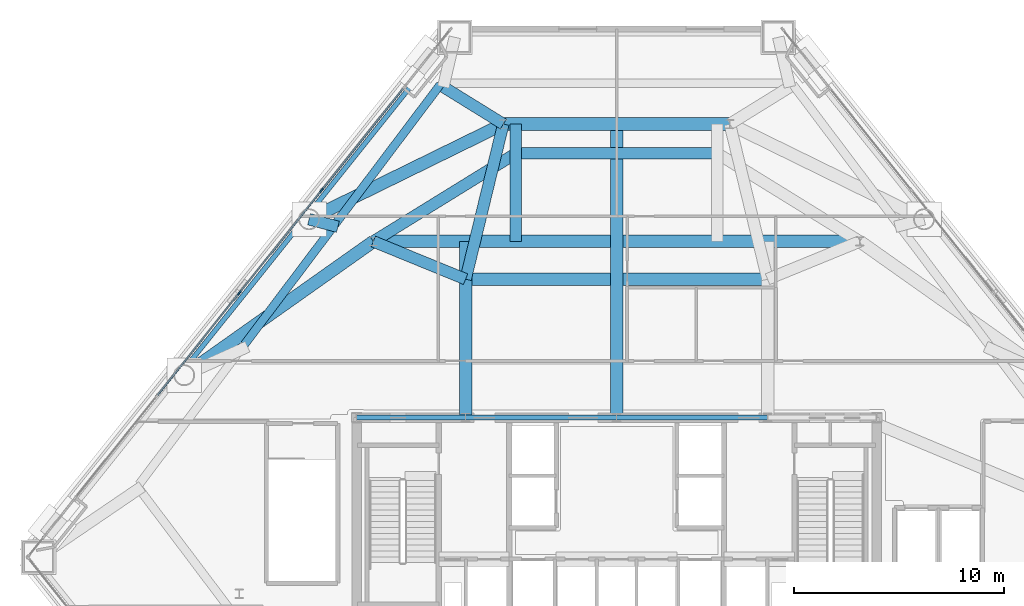
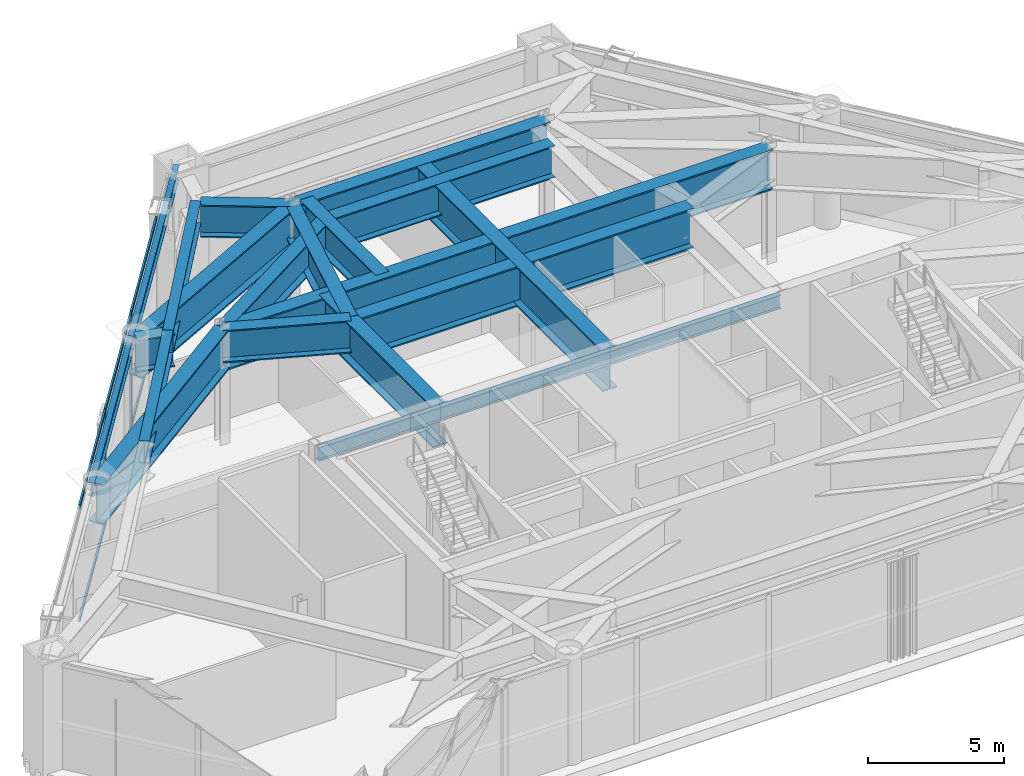
# One storey, part 4 of 13: 21 beams, 8 members, 1 element without a shape of its own.
"""IFC4 building model written with IfcOpenShell, lengths in metres."""

from ifc_helpers import new_model, si_unit, direction, frame, origin, origin_2d, place, context, subcontext, project, spatial, rectangle, i_section, extrude, material, layer, layer_set, material_profile, profile_set, type_object, element, aggregate, save


model = new_model("IFC4")

# Units and contexts
model_context = context("Model", 3, precision=1e-05, world=origin(), true_north=direction((0.0, 1.0)))
body_context = subcontext(model_context, "Body", "Model", "MODEL_VIEW")
ifc_project = project(units=[si_unit("LENGTHUNIT", "METRE"), si_unit("AREAUNIT", "SQUARE_METRE"), si_unit("VOLUMEUNIT", "CUBIC_METRE"), si_unit("PLANEANGLEUNIT", "RADIAN"), si_unit("MASSUNIT", "GRAM", prefix="KILO")], contexts=[model_context])

# Site, building, storey
site_placement = place(None, origin())
site = spatial("IfcSite", under=ifc_project, at=site_placement, CompositionType="ELEMENT")
building_placement = place(site_placement, origin())
building = spatial("IfcBuilding", under=site, at=building_placement, Name="Talgorran Terracotta Tower", CompositionType="ELEMENT")
storey_placement = place(building_placement, frame((0.0, 0.0, 18.89990234375)))
storey = spatial("IfcBuildingStorey", under=building, at=storey_placement, Name="L04", CompositionType="ELEMENT", Elevation=18.89990234375)

# Beams
ifc_material_1 = material(Name="Steel Grade 350 (350L0)", Category="steel")
ifc_material_profile_1 = material_profile(ifc_material_1, i_section(OverallWidth=0.39990234375, OverallDepth=1.0, WebThickness=0.01611328125, FlangeThickness=0.031005859375, at=origin_2d()), Name="1000WB296")
ifc_profile_set_1 = profile_set([ifc_material_profile_1], Name="Steel Grade 350 (350L0)")
beam_type_1 = type_object("IfcBeamType", Name="BM_1000WB296", PredefinedType="BEAM", material=ifc_profile_set_1)
beam_1_placement = place(storey_placement, frame((-8.406982421875, 11.6787109375, 4.650146484375), z_axis=(-0.601803503312, -0.798644190739, 0.0), x_axis=(0.798644190739, -0.601803503312, 0.0)))
element("IfcBeam", 1, at=beam_1_placement, inside=storey, type_object=beam_type_1, Name="L04 Setback Inner Spandrel Girder 10", PredefinedType="BEAM", context=body_context, shape_type="SweptSolid", body=[
    extrude(i_section(OverallWidth=0.39990234375, OverallDepth=1.0, WebThickness=0.01611328125, FlangeThickness=0.031005859375, at=origin_2d()), origin(), (0.0, 0.0, 1.0), 8.353271484375),
])
beam_2_placement = place(storey_placement, frame((-13.43408203125, 5.00732421875, 4.650146484375), z_axis=(-0.601837001902, -0.798618947397, 0.0), x_axis=(0.798618947397, -0.601837001902, 0.0)))
element("IfcBeam", 2, at=beam_2_placement, inside=storey, type_object=beam_type_1, Name="L04 Setback Inner Spandrel Girder 11", PredefinedType="BEAM", context=body_context, shape_type="SweptSolid", body=[
    extrude(i_section(OverallWidth=0.39990234375, OverallDepth=1.0, WebThickness=0.01611328125, FlangeThickness=0.031005859375, at=origin_2d()), origin(), (0.0, 0.0, 1.0), 7.159912109375),
])
ifc_material_2 = material(Name="Steel S355 (300PLUS)", Category="steel")
ifc_material_profile_2 = material_profile(ifc_material_2, i_section(OverallWidth=0.22900390625, OverallDepth=0.611572265625, WebThickness=0.011962890625, FlangeThickness=0.01953125, at=origin_2d()), Name="610UB125")
ifc_profile_set_2 = profile_set([ifc_material_profile_2], Name="Steel S355 (300PLUS)")
beam_type_2 = type_object("IfcBeamType", Name="BM_SP_610UB125", PredefinedType="SPANDREL", material=ifc_profile_set_2)
beam_3_placement = place(storey_placement, frame((-7.854736328125, 14.048583984375, 4.84423828125), z_axis=(-0.625115426811, -0.780532320383, 0.0), x_axis=(0.780532320383, -0.625115426811, 0.0)))
element("IfcBeam", 3, at=beam_3_placement, inside=storey, type_object=beam_type_2, Name="L04 Perimeter Spandrel Beam MC6-FC5", PredefinedType="SPANDREL", context=body_context, shape_type="SweptSolid", body=[
    extrude(i_section(OverallWidth=0.22900390625, OverallDepth=0.611572265625, WebThickness=0.011962890625, FlangeThickness=0.01953125, at=origin_2d()), origin(), (0.0, 0.0, 1.0), 11.1171875),
])
beam_4_placement = place(storey_placement, frame((-14.80419921875, 5.371337890625, 4.84423828125), z_axis=(-0.625101149619, -0.780543754536, 0.0), x_axis=(0.780543754536, -0.625101149619, 0.0)))
element("IfcBeam", 4, at=beam_4_placement, inside=storey, type_object=beam_type_2, Name="L04 Perimeter Spandrel Beam FC5-FC6", PredefinedType="SPANDREL", context=body_context, shape_type="SweptSolid", body=[
    extrude(i_section(OverallWidth=0.22900390625, OverallDepth=0.611572265625, WebThickness=0.011962890625, FlangeThickness=0.01953125, at=origin_2d()), origin(), (0.0, 0.0, 1.0), 9.52880859375),
])
beam_5_placement = place(storey_placement, frame((-12.39990234375, -4.199951171875, 4.84423828125), z_axis=(1.0, 0.0, 0.0), x_axis=(0.0, 1.0, 0.0)))
element("IfcBeam", 5, at=beam_5_placement, inside=storey, type_object=beam_type_2, Name="L04 Core Frame Beam CFN1", PredefinedType="SPANDREL", context=body_context, shape_type="SweptSolid", body=[
    extrude(i_section(OverallWidth=0.22900390625, OverallDepth=0.611572265625, WebThickness=0.011962890625, FlangeThickness=0.01953125, at=origin_2d()), origin(), (0.0, 0.0, 1.0), 5.199951171875),
])
for number, where, z_axis, x_axis, name in (
    (6, (-7.199951171875, -4.199951171875, 4.84423828125), (1.0, 0.0, 0.0), (0.0, 1.0, 0.0), "L04 Core Frame Beam CFN2"),
    (7, (0.0, -4.199951171875, 4.84423828125), (1.0, 0.0, 0.0), (0.0, 1.0, 0.0), "L04 Core Frame Beam CFN3"),
):
    element("IfcBeam", number, at=place(storey_placement, frame(where, z_axis=z_axis, x_axis=x_axis)), inside=storey, type_object=beam_type_2, Name=name, PredefinedType="SPANDREL", context=body_context, shape_type="SweptSolid", body=[
        extrude(i_section(OverallWidth=0.22900390625, OverallDepth=0.611572265625, WebThickness=0.011962890625, FlangeThickness=0.01953125, at=origin_2d()), origin(), (0.0, 0.0, 1.0), 7.199951171875),
    ])
ifc_material_profile_3 = material_profile(ifc_material_1, i_section(OverallWidth=0.550048828125, OverallDepth=1.449951171875, WebThickness=0.031982421875, FlangeThickness=0.054931640625, at=origin_2d()), Name="TG1450X550")
ifc_profile_set_3 = profile_set([ifc_material_profile_3], Name="Steel Grade 350 (350L0)")
beam_type_3 = type_object("IfcBeamType", Name="BM_TG_1450", PredefinedType="BEAM", material=ifc_profile_set_3)
beam_6_placement = place(storey_placement, frame((-8.26318359375, 11.5703125, 4.425048828125), z_axis=(0.850563310322, -0.525872660569, 0.0), x_axis=(0.525872660569, 0.850563310322, 0.0)))
element("IfcBeam", 8, at=beam_6_placement, inside=storey, type_object=beam_type_3, Name="L04 Transfer Girder 10B", PredefinedType="BEAM", context=body_context, shape_type="SweptSolid", body=[
    extrude(i_section(OverallWidth=0.550048828125, OverallDepth=1.449951171875, WebThickness=0.031982421875, FlangeThickness=0.054931640625, at=origin_2d()), origin(), (0.0, 0.0, 1.0), 3.366455078125),
])
beam_7_placement = place(storey_placement, frame((-14.663818359375, 5.2587890625, 4.425048828125), z_axis=(0.967392288814, -0.253282765983, 0.0), x_axis=(0.253282765983, 0.967392288814, 0.0)))
element("IfcBeam", 9, at=beam_7_placement, inside=storey, type_object=beam_type_3, Name="L04 Transfer Girder 11A", PredefinedType="BEAM", context=body_context, shape_type="SweptSolid", body=[
    extrude(i_section(OverallWidth=0.550048828125, OverallDepth=1.449951171875, WebThickness=0.031982421875, FlangeThickness=0.054931640625, at=origin_2d()), origin(), (0.0, 0.0, 1.0), 1.419921875),
])
beam_8_placement = place(storey_placement, frame((-4.800048828125, 4.199951171875, 4.425048828125), z_axis=(0.0, 1.0, 0.0), x_axis=(-1.0, 0.0, 0.0)))
element("IfcBeam", 10, at=beam_8_placement, inside=storey, type_object=beam_type_3, Name="L04 Transfer Girder TG13W", PredefinedType="BEAM", context=body_context, shape_type="SweptSolid", body=[
    extrude(i_section(OverallWidth=0.550048828125, OverallDepth=1.449951171875, WebThickness=0.031982421875, FlangeThickness=0.054931640625, at=origin_2d()), origin(), (0.0, 0.0, 1.0), 5.60009765625),
])
beam_9_placement = place(storey_placement, frame((-7.199951171875, 2.39990234375, 4.425048828125), z_axis=(0.236353215138, 0.971667205217, 0.0), x_axis=(-0.971667205217, 0.236353215138, 0.0)))
element("IfcBeam", 11, at=beam_9_placement, inside=storey, type_object=beam_type_3, Name="L04 Transfer Girder TG01B", PredefinedType="BEAM", context=body_context, shape_type="SweptSolid", body=[
    extrude(i_section(OverallWidth=0.550048828125, OverallDepth=1.449951171875, WebThickness=0.031982421875, FlangeThickness=0.054931640625, at=origin_2d()), origin(), (0.0, 0.0, 1.0), 7.615966796875),
])
beam_10_placement = place(storey_placement, frame((-11.60009765625, 4.199951171875, 4.425048828125), z_axis=(0.925547774227, -0.378630846106, 0.0), x_axis=(0.378630846106, 0.925547774227, 0.0)))
element("IfcBeam", 12, at=beam_10_placement, inside=storey, type_object=beam_type_3, Name="L04 Transfer Girder TG03A", PredefinedType="BEAM", context=body_context, shape_type="SweptSolid", body=[
    extrude(i_section(OverallWidth=0.550048828125, OverallDepth=1.449951171875, WebThickness=0.031982421875, FlangeThickness=0.054931640625, at=origin_2d()), origin(), (0.0, 0.0, 1.0), 4.754150390625),
])
beam_11_placement = place(storey_placement, frame((-11.60009765625, 4.199951171875, 4.425048828125), z_axis=(0.850802415717, 0.525485727124, 0.0), x_axis=(-0.525485727124, 0.850802415717, 0.0)))
element("IfcBeam", 13, at=beam_11_placement, inside=storey, type_object=beam_type_3, Name="L04 Transfer Girder TG09", PredefinedType="BEAM", context=body_context, shape_type="SweptSolid", body=[
    extrude(i_section(OverallWidth=0.550048828125, OverallDepth=1.449951171875, WebThickness=0.031982421875, FlangeThickness=0.054931640625, at=origin_2d()), origin(), (0.0, 0.0, 1.0), 7.992431640625),
])
beam_12_placement = place(storey_placement, frame((-4.800048828125, 8.39990234375, 4.425048828125), z_axis=(1.0, 0.0, 0.0), x_axis=(0.0, 1.0, 0.0)))
element("IfcBeam", 14, at=beam_12_placement, inside=storey, type_object=beam_type_3, Name="L04 Transfer Girder TG10", PredefinedType="BEAM", context=body_context, shape_type="SweptSolid", body=[
    extrude(i_section(OverallWidth=0.550048828125, OverallDepth=1.449951171875, WebThickness=0.031982421875, FlangeThickness=0.054931640625, at=origin_2d()), origin(), (0.0, 0.0, 1.0), 9.60009765625),
])
ifc_material_profile_4 = material_profile(ifc_material_1, i_section(OverallWidth=0.60009765625, OverallDepth=1.800048828125, WebThickness=0.035888671875, FlangeThickness=0.06494140625, at=origin_2d()), Name="TG1800X600")
ifc_profile_set_4 = profile_set([ifc_material_profile_4], Name="Steel Grade 350 (350L0)")
beam_type_4 = type_object("IfcBeamType", Name="BM_TG_1800", PredefinedType="BEAM", material=ifc_profile_set_4)
beam_13_placement = place(storey_placement, frame((-11.60009765625, 4.199951171875, 4.25), z_axis=(1.0, 0.0, 0.0), x_axis=(0.0, 1.0, 0.0)))
element("IfcBeam", 15, at=beam_13_placement, inside=storey, type_object=beam_type_4, Name="L04 Transfer Girder TG12", PredefinedType="BEAM", context=body_context, shape_type="SweptSolid", body=[
    extrude(i_section(OverallWidth=0.60009765625, OverallDepth=1.800048828125, WebThickness=0.035888671875, FlangeThickness=0.06494140625, at=origin_2d()), origin(), (0.0, 0.0, 1.0), 23.2001953125),
])
beam_14_placement = place(storey_placement, frame((-5.39990234375, 9.800048828125, 4.25), z_axis=(1.0, 0.0, 0.0), x_axis=(0.0, 1.0, 0.0)))
element("IfcBeam", 16, at=beam_14_placement, inside=storey, type_object=beam_type_4, Name="L04 Transfer Girder TG07", PredefinedType="BEAM", context=body_context, shape_type="SweptSolid", body=[
    extrude(i_section(OverallWidth=0.60009765625, OverallDepth=1.800048828125, WebThickness=0.035888671875, FlangeThickness=0.06494140625, at=origin_2d()), origin(), (0.0, 0.0, 1.0), 10.7998046875),
])
beam_15_placement = place(storey_placement, frame((-20.620361328125, -2.1787109375, 4.25), z_axis=(0.816480686171, 0.577372747113, 0.0), x_axis=(-0.577372747113, 0.816480686171, 0.0)))
element("IfcBeam", 17, at=beam_15_placement, inside=storey, type_object=beam_type_4, Name="L04 Transfer Girder TG04A", PredefinedType="BEAM", context=body_context, shape_type="SweptSolid", body=[
    extrude(i_section(OverallWidth=0.60009765625, OverallDepth=1.800048828125, WebThickness=0.035888671875, FlangeThickness=0.06494140625, at=origin_2d()), origin(), (0.0, 0.0, 1.0), 11.0478515625),
])
beam_16_placement = place(storey_placement, frame((-14.663818359375, 5.2587890625, 4.25), z_axis=(0.897915954742, 0.44016694358, 0.0), x_axis=(-0.44016694358, 0.897915954742, 0.0)))
element("IfcBeam", 18, at=beam_16_placement, inside=storey, type_object=beam_type_4, Name="L04 Transfer Girder TG08A", PredefinedType="BEAM", context=body_context, shape_type="SweptSolid", body=[
    extrude(i_section(OverallWidth=0.60009765625, OverallDepth=1.800048828125, WebThickness=0.035888671875, FlangeThickness=0.06494140625, at=origin_2d()), origin(), (0.0, 0.0, 1.0), 10.317138671875),
])
beam_17_placement = place(storey_placement, frame((-7.199951171875, -4.199951171875, 4.25), z_axis=(0.0, 1.0, 0.0), x_axis=(-1.0, 0.0, 0.0)))
element("IfcBeam", 19, at=beam_17_placement, inside=storey, type_object=beam_type_4, Name="L04 Transfer Girder TG01", PredefinedType="BEAM", context=body_context, shape_type="SweptSolid", body=[
    extrude(i_section(OverallWidth=0.60009765625, OverallDepth=1.800048828125, WebThickness=0.035888671875, FlangeThickness=0.06494140625, at=origin_2d()), origin(), (0.0, 0.0, 1.0), 8.39990234375),
])
beam_18_placement = place(storey_placement, frame((0.0, -4.199951171875, 4.25), z_axis=(0.0, 1.0, 0.0), x_axis=(-1.0, 0.0, 0.0)))
element("IfcBeam", 20, at=beam_18_placement, inside=storey, type_object=beam_type_4, Name="L04 Transfer Girder TG06", PredefinedType="BEAM", context=body_context, shape_type="SweptSolid", body=[
    extrude(i_section(OverallWidth=0.60009765625, OverallDepth=1.800048828125, WebThickness=0.035888671875, FlangeThickness=0.06494140625, at=origin_2d()), origin(), (0.0, 0.0, 1.0), 14.0),
])
beam_19_placement = place(storey_placement, frame((-7.199951171875, 2.39990234375, 4.25), z_axis=(1.0, 0.0, 0.0), x_axis=(0.0, 1.0, 0.0)))
element("IfcBeam", 21, at=beam_19_placement, inside=storey, type_object=beam_type_4, Name="L04 Transfer Girder TG05", PredefinedType="BEAM", context=body_context, shape_type="SweptSolid", body=[
    extrude(i_section(OverallWidth=0.60009765625, OverallDepth=1.800048828125, WebThickness=0.035888671875, FlangeThickness=0.06494140625, at=origin_2d()), origin(), (0.0, 0.0, 1.0), 14.39990234375),
])

# Curtain wall, members
ifc_material_3 = material(Name="Terracotta and Low-E Glazing", Category="masonry")
ifc_layer = layer(ifc_material_3, 0.219970703125, Name="CW_SYS1_PODIUM")
ifc_layer_set = layer_set([ifc_layer], Name="Terracotta and Low-E Glazing")
curtain_wall_type = type_object("IfcCurtainWallType", Name="CW_SYS1_PODIUM", PredefinedType="NOTDEFINED", material=ifc_layer_set)
curtain_wall_placement = place(storey_placement, origin())
curtain_wall = element("IfcCurtainWall", 22, at=curtain_wall_placement, inside=storey, type_object=curtain_wall_type, Name="CW-L04-F5C", PredefinedType="NOTDEFINED")
ifc_material_4 = material(Name="Architectural Aluminium 6063-T6", Category="aluminium")
ifc_material_profile_5 = material_profile(ifc_material_4, rectangle(XDim=0.074951171875, YDim=0.219970703125, at=origin_2d()), Name="CWM75X220")
ifc_profile_set_5 = profile_set([ifc_material_profile_5], Name="Architectural Aluminium 6063-T6")
member_type_1 = type_object("IfcMemberType", Name="MUL_75X220", PredefinedType="MULLION", material=ifc_profile_set_5)
member_1_placement = place(storey_placement, frame((-14.067138671875, 6.643798828125, 0.0), z_axis=(0.0, 0.0, 1.0), x_axis=(0.780532542614, -0.625115149329, 0.0)))
member_1 = element("IfcMember", 23, at=member_1_placement, type_object=member_type_1, Name="CW-L04-5C mullion 2", PredefinedType="MULLION", context=body_context, shape_type="SweptSolid", body=[
    extrude(rectangle(XDim=0.074951171875, YDim=0.219970703125, at=origin_2d()), origin(), (0.0, 0.0, 1.0), 5.150146484375),
])
member_2_placement = place(storey_placement, frame((-17.990234375, 1.7451171875, 0.0), z_axis=(0.0, 0.0, 1.0), x_axis=(0.780532542614, -0.625115149329, 0.0)))
member_2 = element("IfcMember", 24, at=member_2_placement, type_object=member_type_1, Name="CW-L04-5C mullion 3", PredefinedType="MULLION", context=body_context, shape_type="SweptSolid", body=[
    extrude(rectangle(XDim=0.074951171875, YDim=0.219970703125, at=origin_2d()), origin(), (0.0, 0.0, 1.0), 5.150146484375),
])
ifc_material_profile_6 = material_profile(ifc_material_4, rectangle(XDim=0.074951171875, YDim=0.179931640625, at=origin_2d()), Name="CWT75X180")
ifc_profile_set_6 = profile_set([ifc_material_profile_6], Name="Architectural Aluminium 6063-T6")
member_type_2 = type_object("IfcMemberType", Name="TRN_75X180", PredefinedType="USERDEFINED", material=ifc_profile_set_6)
member_3_placement = place(storey_placement, frame((-10.190673828125, 11.48388671875, 0.03759765625), z_axis=(-0.625129697892, -0.780520890696, 0.0), x_axis=(0.780520890696, -0.625129697892, 0.0)))
member_3 = element("IfcMember", 25, at=member_3_placement, type_object=member_type_2, Name="CW-L04-5C transom 1.1", ObjectType="TRANSOM", PredefinedType="USERDEFINED", context=body_context, shape_type="SweptSolid", body=[
    extrude(rectangle(XDim=0.074951171875, YDim=0.179931640625, at=origin_2d()), origin(), (0.0, 0.0, 1.0), 6.16357421875),
])
member_4_placement = place(storey_placement, frame((-10.190673828125, 11.48388671875, 5.112548828125), z_axis=(-0.625129697892, -0.780520890696, 0.0), x_axis=(0.780520890696, -0.625129697892, 0.0)))
member_4 = element("IfcMember", 26, at=member_4_placement, type_object=member_type_2, Name="CW-L04-5C transom 1.2", ObjectType="TRANSOM", PredefinedType="USERDEFINED", context=body_context, shape_type="SweptSolid", body=[
    extrude(rectangle(XDim=0.074951171875, YDim=0.179931640625, at=origin_2d()), origin(), (0.0, 0.0, 1.0), 6.16357421875),
])
member_5_placement = place(storey_placement, frame((-14.090576171875, 6.614501953125, 0.03759765625), z_axis=(-0.625083872831, -0.780557590397, 0.0), x_axis=(0.780557590397, -0.625083872831, 0.0)))
member_5 = element("IfcMember", 27, at=member_5_placement, type_object=member_type_2, Name="CW-L04-5C transom 2.1", ObjectType="TRANSOM", PredefinedType="USERDEFINED", context=body_context, shape_type="SweptSolid", body=[
    extrude(rectangle(XDim=0.074951171875, YDim=0.179931640625, at=origin_2d()), origin(), (0.0, 0.0, 1.0), 6.201171875),
])
member_6_placement = place(storey_placement, frame((-14.090576171875, 6.614501953125, 5.112548828125), z_axis=(-0.625083872831, -0.780557590397, 0.0), x_axis=(0.780557590397, -0.625083872831, 0.0)))
member_6 = element("IfcMember", 28, at=member_6_placement, type_object=member_type_2, Name="CW-L04-5C transom 2.2", ObjectType="TRANSOM", PredefinedType="USERDEFINED", context=body_context, shape_type="SweptSolid", body=[
    extrude(rectangle(XDim=0.074951171875, YDim=0.179931640625, at=origin_2d()), origin(), (0.0, 0.0, 1.0), 6.201171875),
])
member_7_placement = place(storey_placement, frame((-18.013671875, 1.7158203125, 0.03759765625), z_axis=(-0.625107859156, -0.780538381133, 0.0), x_axis=(0.780538381133, -0.625107859156, 0.0)))
member_7 = element("IfcMember", 29, at=member_7_placement, type_object=member_type_2, Name="CW-L04-5C transom 3.1", ObjectType="TRANSOM", PredefinedType="USERDEFINED", context=body_context, shape_type="SweptSolid", body=[
    extrude(rectangle(XDim=0.074951171875, YDim=0.179931640625, at=origin_2d()), origin(), (0.0, 0.0, 1.0), 6.201171875),
])
member_8_placement = place(storey_placement, frame((-18.013671875, 1.7158203125, 5.112548828125), z_axis=(-0.625107859156, -0.780538381133, 0.0), x_axis=(0.780538381133, -0.625107859156, 0.0)))
member_8 = element("IfcMember", 30, at=member_8_placement, type_object=member_type_2, Name="CW-L04-5C transom 3.2", ObjectType="TRANSOM", PredefinedType="USERDEFINED", context=body_context, shape_type="SweptSolid", body=[
    extrude(rectangle(XDim=0.074951171875, YDim=0.179931640625, at=origin_2d()), origin(), (0.0, 0.0, 1.0), 6.201171875),
])
aggregate(curtain_wall, [member_1, member_2, member_3, member_4, member_5, member_6, member_7, member_8])

save(model, "model.ifc")
